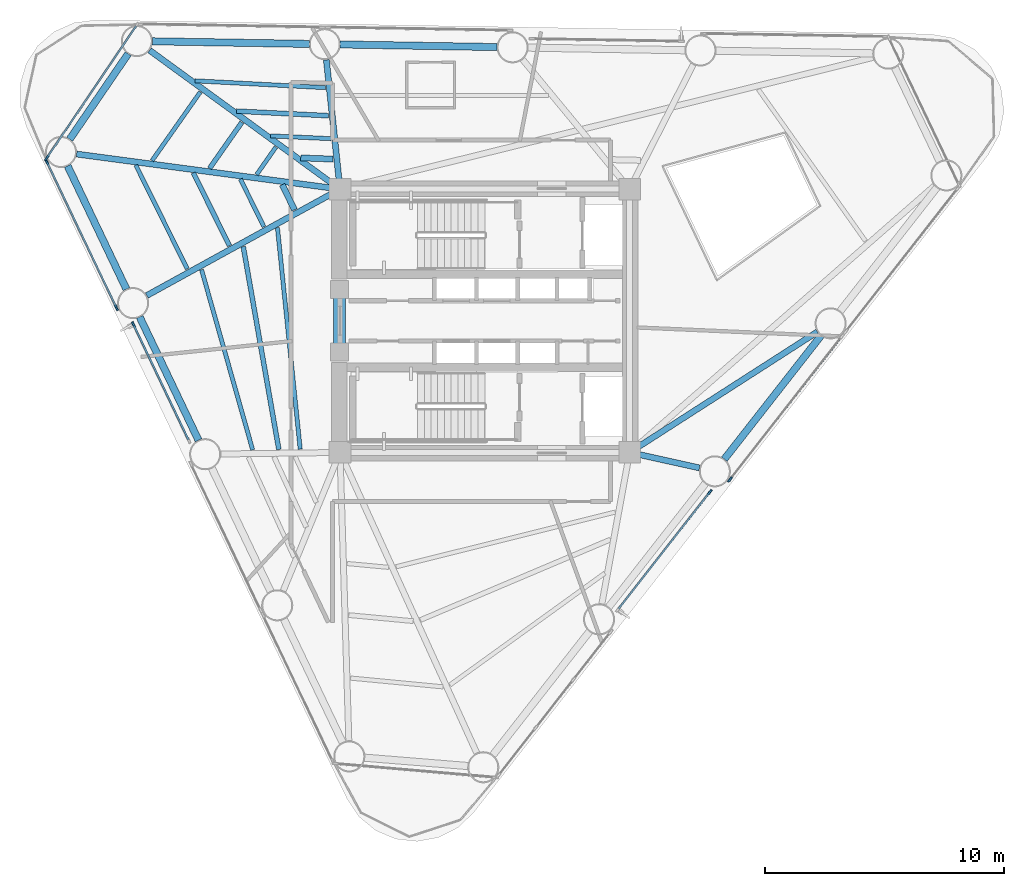
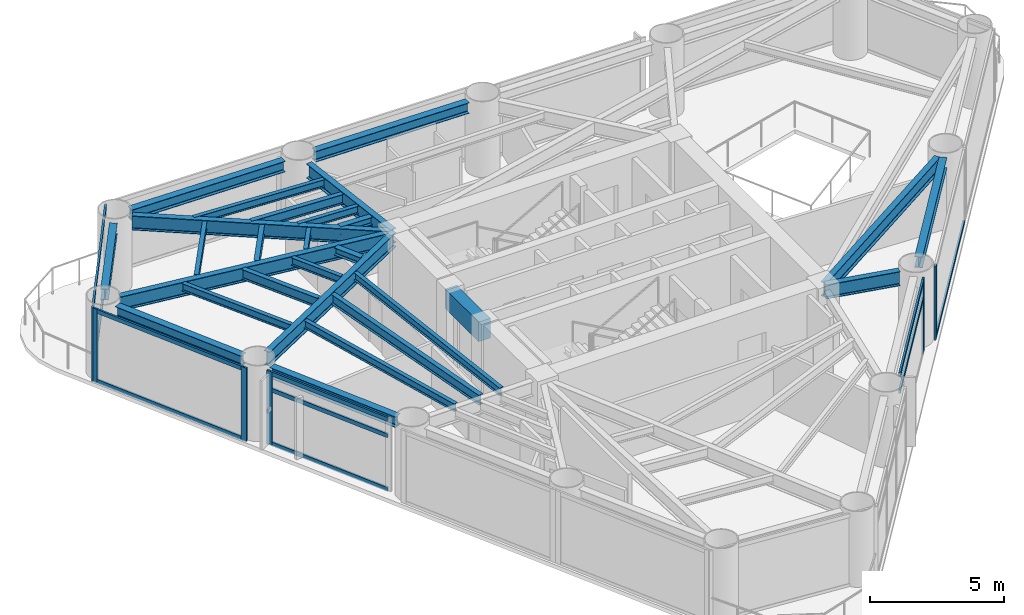
# One storey, part 3 of 10: 27 beams, 16 members, 5 elements without a shape of their own.
"""IFC4 building model written with IfcOpenShell, lengths in metres."""

from ifc_helpers import new_model, si_unit, direction, frame, origin, origin_2d, place, context, subcontext, project, spatial, rectangle, i_section, extrude, source, transform, mapped, material, layer, layer_set, material_profile, profile_set, type_object, element, aggregate, save


model = new_model("IFC4")

# Units and contexts
model_context = context("Model", 3, precision=1e-05, world=origin(), true_north=direction((0.0, 1.0)))
body_context = subcontext(model_context, "Body", "Model", "MODEL_VIEW")
ifc_project = project(units=[si_unit("LENGTHUNIT", "METRE"), si_unit("AREAUNIT", "SQUARE_METRE"), si_unit("VOLUMEUNIT", "CUBIC_METRE"), si_unit("PLANEANGLEUNIT", "RADIAN"), si_unit("MASSUNIT", "GRAM", prefix="KILO")], contexts=[model_context])

# Site, building, storey
site_placement = place(None, origin())
site = spatial("IfcSite", under=ifc_project, at=site_placement, CompositionType="ELEMENT")
building_placement = place(site_placement, origin())
building = spatial("IfcBuilding", under=site, at=building_placement, Name="Yunling Apex Tower", CompositionType="ELEMENT")
storey_placement = place(building_placement, frame((0.0, 0.0, 136.39990234375)))
storey = spatial("IfcBuildingStorey", under=building, at=storey_placement, Name="L33", CompositionType="ELEMENT", Elevation=136.39990234375)

# Beams
ifc_material_1 = material(Name="Concrete C50", Category="concrete")
ifc_material_profile_1 = material_profile(ifc_material_1, rectangle(XDim=0.5, YDim=0.89990234375, at=origin_2d()))
ifc_profile_set_1 = profile_set([ifc_material_profile_1], Name="Concrete C50")
beam_type_1 = type_object("IfcBeamType", Name="BC-CPL-2", PredefinedType="BEAM", material=ifc_profile_set_1)
shared_shape_1 = source(origin(), body_context, "Body", "SweptSolid", [
    extrude(rectangle(XDim=0.5, YDim=0.89990234375, at=origin_2d()), origin(), (0.0, 0.0, 1.0), 2.5),
])
beam_1_placement = place(storey_placement, frame((-6.074951171875, -1.25, 2.820068359375), z_axis=(0.0, 1.0, 0.0), x_axis=(-1.0, 0.0, 0.0)))
element("IfcBeam", 1, at=beam_1_placement, inside=storey, type_object=beam_type_1, Name="L33 Core West Portal Coupling Beam", PredefinedType="BEAM", context=body_context, shape_type="MappedRepresentation", body=[
    mapped(shared_shape_1, transform((0.0, 0.0, 0.0), scale=1.0)),
])
ifc_material_2 = material(Name="Steel Q355B", Category="steel")
ifc_material_profile_2 = material_profile(ifc_material_2, i_section(OverallWidth=0.300048828125, OverallDepth=0.489990234375, WebThickness=0.010986328125, FlangeThickness=0.01806640625, FilletRadius=0.02197265625, at=origin_2d()))
ifc_profile_set_2 = profile_set([ifc_material_profile_2], Name="Steel Q355B")
beam_type_2 = type_object("IfcBeamType", Name="BP-SPN-2", PredefinedType="SPANDREL", material=ifc_profile_set_2)
shared_shape_2 = source(origin(), body_context, "Body", "SweptSolid", [
    extrude(i_section(OverallWidth=0.300048828125, OverallDepth=0.489990234375, WebThickness=0.010986328125, FlangeThickness=0.01806640625, FilletRadius=0.02197265625, at=origin_2d()), origin(), (0.0, 0.0, 1.0), 6.562255859375),
])
beam_2_placement = place(storey_placement, frame((0.5166015625, 11.4375, 3.025146484375), z_axis=(-0.999859222118, 0.0167790329, 0.0), x_axis=(-0.0167790329, -0.999859222118, 0.0)))
element("IfcBeam", 2, at=beam_2_placement, inside=storey, type_object=beam_type_2, Name="L33 Perimeter Spandrel Beam 8", PredefinedType="SPANDREL", context=body_context, shape_type="MappedRepresentation", body=[
    mapped(shared_shape_2, transform((0.0, 0.0, 0.0), scale=1.0)),
])
shared_shape_3 = source(origin(), body_context, "Body", "SweptSolid", [
    extrude(i_section(OverallWidth=0.300048828125, OverallDepth=0.489990234375, WebThickness=0.010986328125, FlangeThickness=0.01806640625, FilletRadius=0.02197265625, at=origin_2d()), origin(), (0.0, 0.0, 1.0), 6.56201171875),
])
for number, where, z_axis, x_axis, name in (
    (3, (10.00732421875, -5.781982421875, 3.025146484375), (0.616233019323, 0.787563880518, 0.0), (-0.787563880518, 0.616233019323, 0.0), "L33 Perimeter Spandrel Beam 3"),
    (4, (-7.33251953125, 11.569091796875, 3.025146484375), (-0.999859211643, 0.016779657083, 0.0), (-0.016779657083, -0.999859211643, 0.0), "L33 Perimeter Spandrel Beam 9"),
):
    element("IfcBeam", number, at=place(storey_placement, frame(where, z_axis=z_axis, x_axis=x_axis)), inside=storey, type_object=beam_type_2, Name=name, PredefinedType="SPANDREL", context=body_context, shape_type="MappedRepresentation", body=[
        mapped(shared_shape_3, transform((0.0, 0.0, 0.0), scale=1.0)),
    ])
shared_shape_4 = source(origin(), body_context, "Body", "SweptSolid", [
    extrude(i_section(OverallWidth=0.300048828125, OverallDepth=0.489990234375, WebThickness=0.010986328125, FlangeThickness=0.01806640625, FilletRadius=0.02197265625, at=origin_2d()), origin(), (0.0, 0.0, 1.0), 4.328125),
])
beam_3_placement = place(storey_placement, frame((-14.901123046875, 11.158447265625, 3.025146484375), z_axis=(-0.564631339119, -0.825343232167, 0.0), x_axis=(0.825343232167, -0.564631339119, 0.0)))
element("IfcBeam", 5, at=beam_3_placement, inside=storey, type_object=beam_type_2, Name="L33 Perimeter Spandrel Beam 10", PredefinedType="SPANDREL", context=body_context, shape_type="MappedRepresentation", body=[
    mapped(shared_shape_4, transform((0.0, 0.0, 0.0), scale=1.0)),
])
shared_shape_5 = source(origin(), body_context, "Body", "SweptSolid", [
    extrude(i_section(OverallWidth=0.300048828125, OverallDepth=0.489990234375, WebThickness=0.010986328125, FlangeThickness=0.01806640625, FilletRadius=0.02197265625, at=origin_2d()), origin(), (0.0, 0.0, 1.0), 5.70751953125),
])
for number, where, z_axis, x_axis, name in (
    (6, (-17.431396484375, 6.473388671875, 3.025146484375), (0.430539541488, -0.902571716383, 0.0), (0.902571716383, 0.430539541488, 0.0), "L33 Perimeter Spandrel Beam 11"),
    (7, (-14.419677734375, 0.1591796875, 3.025146484375), (0.430539541488, -0.902571716383, 0.0), (0.902571716383, 0.430539541488, 0.0), "L33 Perimeter Spandrel Beam 12"),
):
    element("IfcBeam", number, at=place(storey_placement, frame(where, z_axis=z_axis, x_axis=x_axis)), inside=storey, type_object=beam_type_2, Name=name, PredefinedType="SPANDREL", context=body_context, shape_type="MappedRepresentation", body=[
        mapped(shared_shape_5, transform((0.0, 0.0, 0.0), scale=1.0)),
    ])
ifc_material_profile_3 = material_profile(ifc_material_2, i_section(OverallWidth=0.25, OverallDepth=0.64990234375, WebThickness=0.011962890625, FlangeThickness=0.02001953125, FilletRadius=0.02392578125, at=origin_2d()))
ifc_profile_set_3 = profile_set([ifc_material_profile_3], Name="Steel Q355B")
beam_type_3 = type_object("IfcBeamType", Name="BG-PRI-4", PredefinedType="USERDEFINED", material=ifc_profile_set_3)
shared_shape_6 = source(origin(), body_context, "Body", "SweptSolid", [
    extrude(i_section(OverallWidth=0.25, OverallDepth=0.64990234375, WebThickness=0.011962890625, FlangeThickness=0.02001953125, FilletRadius=0.02392578125, at=origin_2d()), origin(), (0.0, 0.0, 1.0), 2.908935546875),
])
beam_4_placement = place(storey_placement, frame((8.96826171875, -6.14697265625, 2.945068359375), z_axis=(-0.976295546219, 0.216441692917, 0.0), x_axis=(-0.216441692917, -0.976295546219, 0.0)))
element("IfcBeam", 8, at=beam_4_placement, inside=storey, type_object=beam_type_3, Name="L33 Radial Primary Girder R03", ObjectType="GIRDER", PredefinedType="USERDEFINED", context=body_context, shape_type="MappedRepresentation", body=[
    mapped(shared_shape_6, transform((0.0, 0.0, 0.0), scale=1.0)),
])
shared_shape_7 = source(origin(), body_context, "Body", "SweptSolid", [
    extrude(i_section(OverallWidth=0.25, OverallDepth=0.64990234375, WebThickness=0.011962890625, FlangeThickness=0.02001953125, FilletRadius=0.02392578125, at=origin_2d()), origin(), (0.0, 0.0, 1.0), 9.24267578125),
])
beam_5_placement = place(storey_placement, frame((13.894287109375, -0.46240234375, 2.945068359375), z_axis=(-0.841433276896, -0.540361027954, 0.0), x_axis=(0.540361027954, -0.841433276896, 0.0)))
element("IfcBeam", 9, at=beam_5_placement, inside=storey, type_object=beam_type_3, Name="L33 Radial Primary Girder R04", ObjectType="GIRDER", PredefinedType="USERDEFINED", context=body_context, shape_type="MappedRepresentation", body=[
    mapped(shared_shape_7, transform((0.0, 0.0, 0.0), scale=1.0)),
])
shared_shape_8 = source(origin(), body_context, "Body", "SweptSolid", [
    extrude(i_section(OverallWidth=0.25, OverallDepth=0.64990234375, WebThickness=0.011962890625, FlangeThickness=0.02001953125, FilletRadius=0.02392578125, at=origin_2d()), origin(), (0.0, 0.0, 1.0), 5.35400390625),
])
beam_6_placement = place(storey_placement, frame((-6.619384765625, 10.904052734375, 2.945068359375), z_axis=(0.104789227106, -0.99449445342, 0.0), x_axis=(0.99449445342, 0.104789227106, 0.0)))
element("IfcBeam", 10, at=beam_6_placement, inside=storey, type_object=beam_type_3, Name="L33 Radial Primary Girder R09", ObjectType="GIRDER", PredefinedType="USERDEFINED", context=body_context, shape_type="MappedRepresentation", body=[
    mapped(shared_shape_8, transform((0.0, 0.0, 0.0), scale=1.0)),
])
shared_shape_9 = source(origin(), body_context, "Body", "SweptSolid", [
    extrude(i_section(OverallWidth=0.25, OverallDepth=0.64990234375, WebThickness=0.011962890625, FlangeThickness=0.02001953125, FilletRadius=0.02392578125, at=origin_2d()), origin(), (0.0, 0.0, 1.0), 9.76708984375),
])
beam_7_placement = place(storey_placement, frame((-14.005859375, 11.30224609375, 2.945068359375), z_axis=(0.807958193343, -0.589239813497, 0.0), x_axis=(0.589239813497, 0.807958193343, 0.0)))
element("IfcBeam", 11, at=beam_7_placement, inside=storey, type_object=beam_type_3, Name="L33 Radial Primary Girder R10", ObjectType="GIRDER", PredefinedType="USERDEFINED", context=body_context, shape_type="MappedRepresentation", body=[
    mapped(shared_shape_9, transform((0.0, 0.0, 0.0), scale=1.0)),
])
shared_shape_10 = source(origin(), body_context, "Body", "SweptSolid", [
    extrude(i_section(OverallWidth=0.25, OverallDepth=0.64990234375, WebThickness=0.011962890625, FlangeThickness=0.02001953125, FilletRadius=0.02392578125, at=origin_2d()), origin(), (0.0, 0.0, 1.0), 11.023681640625),
])
beam_8_placement = place(storey_placement, frame((-17.056396484375, 6.9677734375, 2.945068359375), z_axis=(0.991223838358, -0.132194183952, 0.0), x_axis=(0.132194183952, 0.991223838358, 0.0)))
element("IfcBeam", 12, at=beam_8_placement, inside=storey, type_object=beam_type_3, Name="L33 Radial Primary Girder R11", ObjectType="GIRDER", PredefinedType="USERDEFINED", context=body_context, shape_type="MappedRepresentation", body=[
    mapped(shared_shape_10, transform((0.0, 0.0, 0.0), scale=1.0)),
])
shared_shape_11 = source(origin(), body_context, "Body", "SweptSolid", [
    extrude(i_section(OverallWidth=0.25, OverallDepth=0.64990234375, WebThickness=0.011962890625, FlangeThickness=0.02001953125, FilletRadius=0.02392578125, at=origin_2d()), origin(), (0.0, 0.0, 1.0), 9.132080078125),
])
beam_9_placement = place(storey_placement, frame((-14.120361328125, 1.057861328125, 2.945068359375), z_axis=(0.876057251214, 0.482207105501, 0.0), x_axis=(-0.482207105501, 0.876057251214, 0.0)))
element("IfcBeam", 13, at=beam_9_placement, inside=storey, type_object=beam_type_3, Name="L33 Radial Primary Girder R12", ObjectType="GIRDER", PredefinedType="USERDEFINED", context=body_context, shape_type="MappedRepresentation", body=[
    mapped(shared_shape_11, transform((0.0, 0.0, 0.0), scale=1.0)),
])
ifc_material_profile_4 = material_profile(ifc_material_2, i_section(OverallWidth=0.199951171875, OverallDepth=0.449951171875, WebThickness=0.009033203125, FlangeThickness=0.013916015625, FilletRadius=0.01806640625, at=origin_2d()))
ifc_profile_set_4 = profile_set([ifc_material_profile_4], Name="Steel Q355B")
beam_type_4 = type_object("IfcBeamType", Name="BS-SEC-3", PredefinedType="BEAM", material=ifc_profile_set_4)
shared_shape_12 = source(origin(), body_context, "Body", "SweptSolid", [
    extrude(i_section(OverallWidth=0.199951171875, OverallDepth=0.449951171875, WebThickness=0.009033203125, FlangeThickness=0.013916015625, FilletRadius=0.01806640625, at=origin_2d()), origin(), (0.0, 0.0, 1.0), 3.84619140625),
])
beam_10_placement = place(storey_placement, frame((-6.532470703125, 8.5693359375, 3.045166015625), z_axis=(-0.998745046624, 0.050083249128, 0.0), x_axis=(-0.050083249128, -0.998745046624, 0.0)))
element("IfcBeam", 14, at=beam_10_placement, inside=storey, type_object=beam_type_4, Name="L33 Composite Floor Beam BS-9", PredefinedType="BEAM", context=body_context, shape_type="MappedRepresentation", body=[
    mapped(shared_shape_12, transform((0.0, 0.0, 0.0), scale=1.0)),
])
ifc_material_profile_5 = material_profile(ifc_material_2, i_section(OverallWidth=0.175048828125, OverallDepth=0.35009765625, WebThickness=0.007080078125, FlangeThickness=0.010986328125, FilletRadius=0.013916015625, at=origin_2d()))
ifc_profile_set_5 = profile_set([ifc_material_profile_5], Name="Steel Q355B")
beam_type_5 = type_object("IfcBeamType", Name="BJ-JST-1", PredefinedType="JOIST", material=ifc_profile_set_5)
shared_shape_13 = source(origin(), body_context, "Body", "SweptSolid", [
    extrude(i_section(OverallWidth=0.175048828125, OverallDepth=0.35009765625, WebThickness=0.007080078125, FlangeThickness=0.010986328125, FilletRadius=0.013916015625, at=origin_2d()), origin(), (0.0, 0.0, 1.0), 5.4619140625),
])
beam_11_placement = place(storey_placement, frame((-6.65576171875, 9.740966796875, 3.09521484375), z_axis=(-0.998619804272, 0.052521295825, 0.0), x_axis=(-0.052521295825, -0.998619804272, 0.0)))
element("IfcBeam", 15, at=beam_11_placement, inside=storey, type_object=beam_type_5, Name="L33 Composite Floor Joist BJ1-9", PredefinedType="JOIST", context=body_context, shape_type="MappedRepresentation", body=[
    mapped(shared_shape_13, transform((0.0, 0.0, 0.0), scale=1.0)),
])
shared_shape_14 = source(origin(), body_context, "Body", "SweptSolid", [
    extrude(i_section(OverallWidth=0.175048828125, OverallDepth=0.35009765625, WebThickness=0.007080078125, FlangeThickness=0.010986328125, FilletRadius=0.013916015625, at=origin_2d()), origin(), (0.0, 0.0, 1.0), 2.52490234375),
])
beam_12_placement = place(storey_placement, frame((-6.431396484375, 7.6103515625, 3.09521484375), z_axis=(-0.998935787548, 0.046122579679, 0.0), x_axis=(-0.046122579679, -0.998935787548, 0.0)))
element("IfcBeam", 16, at=beam_12_placement, inside=storey, type_object=beam_type_5, Name="L33 Composite Floor Joist BJ3-9", PredefinedType="JOIST", context=body_context, shape_type="MappedRepresentation", body=[
    mapped(shared_shape_14, transform((0.0, 0.0, 0.0), scale=1.0)),
])
ifc_material_profile_6 = material_profile(ifc_material_2, i_section(OverallWidth=0.25, OverallDepth=0.340087890625, WebThickness=0.009033203125, FlangeThickness=0.013916015625, FilletRadius=0.01806640625, at=origin_2d()))
ifc_profile_set_6 = profile_set([ifc_material_profile_6], Name="Steel Q355B")
beam_type_6 = type_object("IfcBeamType", Name="BJ-JST-2", PredefinedType="JOIST", material=ifc_profile_set_6)
shared_shape_15 = source(origin(), body_context, "Body", "SweptSolid", [
    extrude(i_section(OverallWidth=0.25, OverallDepth=0.340087890625, WebThickness=0.009033203125, FlangeThickness=0.013916015625, FilletRadius=0.01806640625, at=origin_2d()), origin(), (0.0, 0.0, 1.0), 1.35009765625),
])
beam_13_placement = place(storey_placement, frame((-6.341796875, 6.7568359375, 3.10009765625), z_axis=(-0.999299138543, 0.03743302962, 0.0), x_axis=(-0.03743302962, -0.999299138543, 0.0)))
element("IfcBeam", 17, at=beam_13_placement, inside=storey, type_object=beam_type_6, Name="L33 Composite Floor Joist BJ2-9", PredefinedType="JOIST", context=body_context, shape_type="MappedRepresentation", body=[
    mapped(shared_shape_15, transform((0.0, 0.0, 0.0), scale=1.0)),
])
shared_shape_16 = source(origin(), body_context, "Body", "SweptSolid", [
    extrude(i_section(OverallWidth=0.199951171875, OverallDepth=0.449951171875, WebThickness=0.009033203125, FlangeThickness=0.013916015625, FilletRadius=0.01806640625, at=origin_2d()), origin(), (0.0, 0.0, 1.0), 2.349365234375),
])
beam_14_placement = place(storey_placement, frame((-10.152099609375, 8.293701171875, 3.045166015625), z_axis=(-0.574138652216, -0.818758088834, 0.0), x_axis=(0.818758088834, -0.574138652216, 0.0)))
element("IfcBeam", 18, at=beam_14_placement, inside=storey, type_object=beam_type_4, Name="L33 Composite Floor Beam BS-10", PredefinedType="BEAM", context=body_context, shape_type="MappedRepresentation", body=[
    mapped(shared_shape_16, transform((0.0, 0.0, 0.0), scale=1.0)),
])
shared_shape_17 = source(origin(), body_context, "Body", "SweptSolid", [
    extrude(i_section(OverallWidth=0.175048828125, OverallDepth=0.35009765625, WebThickness=0.007080078125, FlangeThickness=0.010986328125, FilletRadius=0.013916015625, at=origin_2d()), origin(), (0.0, 0.0, 1.0), 3.5068359375),
])
beam_15_placement = place(storey_placement, frame((-11.88818359375, 9.559814453125, 3.09521484375), z_axis=(-0.575031163817, -0.818131505712, 0.0), x_axis=(0.818131505712, -0.575031163817, 0.0)))
element("IfcBeam", 19, at=beam_15_placement, inside=storey, type_object=beam_type_5, Name="L33 Composite Floor Joist BJ1-10", PredefinedType="JOIST", context=body_context, shape_type="MappedRepresentation", body=[
    mapped(shared_shape_17, transform((0.0, 0.0, 0.0), scale=1.0)),
])
shared_shape_18 = source(origin(), body_context, "Body", "SweptSolid", [
    extrude(i_section(OverallWidth=0.175048828125, OverallDepth=0.35009765625, WebThickness=0.007080078125, FlangeThickness=0.010986328125, FilletRadius=0.013916015625, at=origin_2d()), origin(), (0.0, 0.0, 1.0), 1.40185546875),
])
beam_16_placement = place(storey_placement, frame((-8.7314453125, 7.257568359375, 3.09521484375), z_axis=(-0.572573774169, -0.819853202186, 0.0), x_axis=(0.819853202186, -0.572573774169, 0.0)))
element("IfcBeam", 20, at=beam_16_placement, inside=storey, type_object=beam_type_5, Name="L33 Composite Floor Joist BJ3-10", PredefinedType="JOIST", context=body_context, shape_type="MappedRepresentation", body=[
    mapped(shared_shape_18, transform((0.0, 0.0, 0.0), scale=1.0)),
])
shared_shape_19 = source(origin(), body_context, "Body", "SweptSolid", [
    extrude(i_section(OverallWidth=0.199951171875, OverallDepth=0.449951171875, WebThickness=0.009033203125, FlangeThickness=0.013916015625, FilletRadius=0.01806640625, at=origin_2d()), origin(), (0.0, 0.0, 1.0), 3.396484375),
])
beam_17_placement = place(storey_placement, frame((-12.177490234375, 6.18310546875, 3.045166015625), z_axis=(0.443500732864, -0.896274009413, 0.0), x_axis=(0.896274009413, 0.443500732864, 0.0)))
element("IfcBeam", 21, at=beam_17_placement, inside=storey, type_object=beam_type_4, Name="L33 Composite Floor Beam BS-11", PredefinedType="BEAM", context=body_context, shape_type="MappedRepresentation", body=[
    mapped(shared_shape_19, transform((0.0, 0.0, 0.0), scale=1.0)),
])
shared_shape_20 = source(origin(), body_context, "Body", "SweptSolid", [
    extrude(i_section(OverallWidth=0.175048828125, OverallDepth=0.35009765625, WebThickness=0.007080078125, FlangeThickness=0.010986328125, FilletRadius=0.013916015625, at=origin_2d()), origin(), (0.0, 0.0, 1.0), 4.837890625),
])
beam_18_placement = place(storey_placement, frame((-14.581298828125, 6.50390625, 3.09521484375), z_axis=(0.444385383115, -0.895835716677, 0.0), x_axis=(0.895835716677, 0.444385383115, 0.0)))
element("IfcBeam", 22, at=beam_18_placement, inside=storey, type_object=beam_type_5, Name="L33 Composite Floor Joist BJ1-11", PredefinedType="JOIST", context=body_context, shape_type="MappedRepresentation", body=[
    mapped(shared_shape_20, transform((0.0, 0.0, 0.0), scale=1.0)),
])
shared_shape_21 = source(origin(), body_context, "Body", "SweptSolid", [
    extrude(i_section(OverallWidth=0.175048828125, OverallDepth=0.35009765625, WebThickness=0.007080078125, FlangeThickness=0.010986328125, FilletRadius=0.013916015625, at=origin_2d()), origin(), (0.0, 0.0, 1.0), 2.217529296875),
])
beam_19_placement = place(storey_placement, frame((-10.2109375, 5.9208984375, 3.09521484375), z_axis=(0.441921230905, -0.897053858848, 0.0), x_axis=(0.897053858848, 0.441921230905, 0.0)))
element("IfcBeam", 23, at=beam_19_placement, inside=storey, type_object=beam_type_5, Name="L33 Composite Floor Joist BJ3-11", PredefinedType="JOIST", context=body_context, shape_type="MappedRepresentation", body=[
    mapped(shared_shape_21, transform((0.0, 0.0, 0.0), scale=1.0)),
])
shared_shape_22 = source(origin(), body_context, "Body", "SweptSolid", [
    extrude(i_section(OverallWidth=0.25, OverallDepth=0.340087890625, WebThickness=0.009033203125, FlangeThickness=0.013916015625, FilletRadius=0.01806640625, at=origin_2d()), origin(), (0.0, 0.0, 1.0), 1.16943359375),
])
beam_20_placement = place(storey_placement, frame((-8.463134765625, 5.6875, 3.10009765625), z_axis=(0.438592252634, -0.898686172103, 0.0), x_axis=(0.898686172103, 0.438592252634, 0.0)))
element("IfcBeam", 24, at=beam_20_placement, inside=storey, type_object=beam_type_6, Name="L33 Composite Floor Joist BJ2-11", PredefinedType="JOIST", context=body_context, shape_type="MappedRepresentation", body=[
    mapped(shared_shape_22, transform((0.0, 0.0, 0.0), scale=1.0)),
])
shared_shape_23 = source(origin(), body_context, "Body", "SweptSolid", [
    extrude(i_section(OverallWidth=0.199951171875, OverallDepth=0.449951171875, WebThickness=0.009033203125, FlangeThickness=0.013916015625, FilletRadius=0.01806640625, at=origin_2d()), origin(), (0.0, 0.0, 1.0), 8.60693359375),
])
beam_21_placement = place(storey_placement, frame((-10.092529296875, 3.10205078125, 3.045166015625), z_axis=(0.172691332669, -0.984975991393, 0.0), x_axis=(0.984975991393, 0.172691332669, 0.0)))
element("IfcBeam", 25, at=beam_21_placement, inside=storey, type_object=beam_type_4, Name="L33 Composite Floor Beam BS-12", PredefinedType="BEAM", context=body_context, shape_type="MappedRepresentation", body=[
    mapped(shared_shape_23, transform((0.0, 0.0, 0.0), scale=1.0)),
])
shared_shape_24 = source(origin(), body_context, "Body", "SweptSolid", [
    extrude(i_section(OverallWidth=0.175048828125, OverallDepth=0.35009765625, WebThickness=0.007080078125, FlangeThickness=0.010986328125, FilletRadius=0.013916015625, at=origin_2d()), origin(), (0.0, 0.0, 1.0), 7.82763671875),
])
beam_22_placement = place(storey_placement, frame((-11.836669921875, 2.136962890625, 3.09521484375), z_axis=(0.273002905438, -0.962013208653, 0.0), x_axis=(0.962013208653, 0.273002905438, 0.0)))
element("IfcBeam", 26, at=beam_22_placement, inside=storey, type_object=beam_type_5, Name="L33 Composite Floor Joist BJ1-12", PredefinedType="JOIST", context=body_context, shape_type="MappedRepresentation", body=[
    mapped(shared_shape_24, transform((0.0, 0.0, 0.0), scale=1.0)),
])
shared_shape_25 = source(origin(), body_context, "Body", "SweptSolid", [
    extrude(i_section(OverallWidth=0.175048828125, OverallDepth=0.35009765625, WebThickness=0.007080078125, FlangeThickness=0.010986328125, FilletRadius=0.013916015625, at=origin_2d()), origin(), (0.0, 0.0, 1.0), 9.303955078125),
])
beam_23_placement = place(storey_placement, frame((-8.663818359375, 3.89306640625, 3.09521484375), z_axis=(0.102153373674, -0.994768660668, 0.0), x_axis=(0.994768660668, 0.102153373674, 0.0)))
element("IfcBeam", 27, at=beam_23_placement, inside=storey, type_object=beam_type_5, Name="L33 Composite Floor Joist BJ3-12", PredefinedType="JOIST", context=body_context, shape_type="MappedRepresentation", body=[
    mapped(shared_shape_25, transform((0.0, 0.0, 0.0), scale=1.0)),
])

# Curtain wall, members
ifc_material_3 = material(Name="Bronze anodised aluminium", Category="aluminium")
ifc_layer = layer(ifc_material_3, 0.239990234375)
ifc_layer_set = layer_set([ifc_layer], Name="Bronze anodised aluminium")
curtain_wall_type = type_object("IfcCurtainWallType", Name="CW-SYS-3", PredefinedType="NOTDEFINED", material=ifc_layer_set)
curtain_wall_1_placement = place(storey_placement, origin())
curtain_wall_1 = element("IfcCurtainWall", 28, at=curtain_wall_1_placement, inside=storey, type_object=curtain_wall_type, Name="CW-L33-F1-B2", PredefinedType="NOTDEFINED")
ifc_material_profile_7 = material_profile(ifc_material_3, rectangle(XDim=0.080078125, YDim=0.18505859375, at=origin_2d()))
ifc_profile_set_7 = profile_set([ifc_material_profile_7], Name="Bronze anodised aluminium")
member_type_1 = type_object("IfcMemberType", Name="CW-TRN-3", PredefinedType="USERDEFINED", material=ifc_profile_set_7)
shared_shape_26 = source(origin(), body_context, "Body", "SweptSolid", [
    extrude(rectangle(XDim=0.080078125, YDim=0.18505859375, at=origin_2d()), origin(), (0.0, 0.0, 1.0), 6.158203125),
])
member_1_placement = place(storey_placement, frame((5.5859375, -12.03369140625, 2.4853515625), z_axis=(0.616202427613, 0.787587816185, 0.0), x_axis=(-0.787587816185, 0.616202427613, 0.0)))
member_1 = element("IfcMember", 29, at=member_1_placement, type_object=member_type_1, Name="CW-SYS-3 transom 1.2", ObjectType="TRANSOM", PredefinedType="USERDEFINED", context=body_context, shape_type="MappedRepresentation", body=[
    mapped(shared_shape_26, transform((0.0, 0.0, 0.0), scale=1.0)),
])
member_2_placement = place(storey_placement, frame((5.5859375, -12.03369140625, 3.22998046875), z_axis=(0.616202427613, 0.787587816185, 0.0), x_axis=(-0.787587816185, 0.616202427613, 0.0)))
member_2 = element("IfcMember", 30, at=member_2_placement, type_object=member_type_1, Name="CW-SYS-3 transom 1.3", ObjectType="TRANSOM", PredefinedType="USERDEFINED", context=body_context, shape_type="MappedRepresentation", body=[
    mapped(shared_shape_26, transform((0.0, 0.0, 0.0), scale=1.0)),
])

# Curtain wall, member
curtain_wall_2_placement = place(storey_placement, origin())
curtain_wall_2 = element("IfcCurtainWall", 31, at=curtain_wall_2_placement, inside=storey, type_object=curtain_wall_type, Name="CW-L33-F1-B3", PredefinedType="NOTDEFINED")
shared_shape_27 = source(origin(), body_context, "Body", "SweptSolid", [
    extrude(rectangle(XDim=0.080078125, YDim=0.18505859375, at=origin_2d()), origin(), (0.0, 0.0, 1.0), 7.5380859375),
])
member_3_placement = place(storey_placement, frame((10.265869140625, -6.603759765625, 0.0400390625), z_axis=(0.616213940974, 0.787578808088, 0.0), x_axis=(-0.787578808088, 0.616213940974, 0.0)))
member_3 = element("IfcMember", 32, at=member_3_placement, type_object=member_type_1, Name="CW-SYS-3 transom 1.1", ObjectType="TRANSOM", PredefinedType="USERDEFINED", context=body_context, shape_type="MappedRepresentation", body=[
    mapped(shared_shape_27, transform((0.0, 0.0, 0.0), scale=1.0)),
])

# Curtain wall, members
curtain_wall_3_placement = place(storey_placement, origin())
curtain_wall_3 = element("IfcCurtainWall", 33, at=curtain_wall_3_placement, inside=storey, type_object=curtain_wall_type, Name="CW-L33-CRN2", PredefinedType="NOTDEFINED")
shared_shape_28 = source(origin(), body_context, "Body", "SweptSolid", [
    extrude(rectangle(XDim=0.080078125, YDim=0.18505859375, at=origin_2d()), origin(), (0.0, 0.0, 1.0), 6.63671875),
])
member_4_placement = place(storey_placement, frame((-14.568603515625, 12.31689453125, 0.0400390625), z_axis=(-0.560543901892, -0.828124709239, 0.0), x_axis=(0.828124709239, -0.560543901892, 0.0)))
member_4 = element("IfcMember", 34, at=member_4_placement, type_object=member_type_1, Name="CW-SYS-3 transom 1.1", ObjectType="TRANSOM", PredefinedType="USERDEFINED", context=body_context, shape_type="MappedRepresentation", body=[
    mapped(shared_shape_28, transform((0.0, 0.0, 0.0), scale=1.0)),
])
member_5_placement = place(storey_placement, frame((-14.568603515625, 12.31689453125, 3.22998046875), z_axis=(-0.560543901892, -0.828124709239, 0.0), x_axis=(0.828124709239, -0.560543901892, 0.0)))
member_5 = element("IfcMember", 35, at=member_5_placement, type_object=member_type_1, Name="CW-SYS-3 transom 1.2", ObjectType="TRANSOM", PredefinedType="USERDEFINED", context=body_context, shape_type="MappedRepresentation", body=[
    mapped(shared_shape_28, transform((0.0, 0.0, 0.0), scale=1.0)),
])

curtain_wall_4_placement = place(storey_placement, origin())
curtain_wall_4 = element("IfcCurtainWall", 36, at=curtain_wall_4_placement, inside=storey, type_object=curtain_wall_type, Name="CW-L33-F3-B1", PredefinedType="NOTDEFINED")
shared_shape_29 = source(origin(), body_context, "Body", "SweptSolid", [
    extrude(rectangle(XDim=0.080078125, YDim=0.18505859375, at=origin_2d()), origin(), (0.0, 0.0, 1.0), 6.683837890625),
])
member_6_placement = place(storey_placement, frame((-18.2822265625, 6.6083984375, 0.0400390625), z_axis=(0.430509150299, -0.902586212785, 0.0), x_axis=(0.902586212785, 0.430509150299, 0.0)))
member_6 = element("IfcMember", 37, at=member_6_placement, type_object=member_type_1, Name="CW-SYS-3 transom 1.1", ObjectType="TRANSOM", PredefinedType="USERDEFINED", context=body_context, shape_type="MappedRepresentation", body=[
    mapped(shared_shape_29, transform((0.0, 0.0, 0.0), scale=1.0)),
])
member_7_placement = place(storey_placement, frame((-18.2822265625, 6.6083984375, 3.22998046875), z_axis=(0.430509150299, -0.902586212785, 0.0), x_axis=(0.902586212785, 0.430509150299, 0.0)))
member_7 = element("IfcMember", 38, at=member_7_placement, type_object=member_type_1, Name="CW-SYS-3 transom 1.2", ObjectType="TRANSOM", PredefinedType="USERDEFINED", context=body_context, shape_type="MappedRepresentation", body=[
    mapped(shared_shape_29, transform((0.0, 0.0, 0.0), scale=1.0)),
])

curtain_wall_5_placement = place(storey_placement, origin())
curtain_wall_5 = element("IfcCurtainWall", 39, at=curtain_wall_5_placement, inside=storey, type_object=curtain_wall_type, Name="CW-L33-F3-B2", PredefinedType="NOTDEFINED")
shared_shape_30 = source(origin(), body_context, "Body", "SweptSolid", [
    extrude(rectangle(XDim=0.080078125, YDim=0.18505859375, at=origin_2d()), origin(), (0.0, 0.0, 1.0), 5.303466796875),
])
member_8_placement = place(storey_placement, frame((-14.66650390625, -0.182373046875, 0.0400390625), z_axis=(0.43050887408, -0.902586344534, 0.0), x_axis=(0.902586344534, 0.43050887408, 0.0)))
member_8 = element("IfcMember", 40, at=member_8_placement, type_object=member_type_1, Name="CW-SYS-3 transom 1.1", ObjectType="TRANSOM", PredefinedType="USERDEFINED", context=body_context, shape_type="MappedRepresentation", body=[
    mapped(shared_shape_30, transform((0.0, 0.0, 0.0), scale=1.0)),
])
member_9_placement = place(storey_placement, frame((-14.66650390625, -0.182373046875, 2.4853515625), z_axis=(0.43050887408, -0.902586344534, 0.0), x_axis=(0.902586344534, 0.43050887408, 0.0)))
member_9 = element("IfcMember", 41, at=member_9_placement, type_object=member_type_1, Name="CW-SYS-3 transom 1.2", ObjectType="TRANSOM", PredefinedType="USERDEFINED", context=body_context, shape_type="MappedRepresentation", body=[
    mapped(shared_shape_30, transform((0.0, 0.0, 0.0), scale=1.0)),
])
member_10_placement = place(storey_placement, frame((-14.66650390625, -0.182373046875, 3.22998046875), z_axis=(0.43050887408, -0.902586344534, 0.0), x_axis=(0.902586344534, 0.43050887408, 0.0)))
member_10 = element("IfcMember", 42, at=member_10_placement, type_object=member_type_1, Name="CW-SYS-3 transom 1.3", ObjectType="TRANSOM", PredefinedType="USERDEFINED", context=body_context, shape_type="MappedRepresentation", body=[
    mapped(shared_shape_30, transform((0.0, 0.0, 0.0), scale=1.0)),
])

# Member
ifc_material_profile_8 = material_profile(ifc_material_3, rectangle(XDim=0.080078125, YDim=0.239990234375, at=origin_2d()))
ifc_profile_set_8 = profile_set([ifc_material_profile_8], Name="Bronze anodised aluminium")
member_type_2 = type_object("IfcMemberType", Name="CW-MUL-3", PredefinedType="MULLION", material=ifc_profile_set_8)
shared_shape_31 = source(origin(), body_context, "Body", "SweptSolid", [
    extrude(rectangle(XDim=0.080078125, YDim=0.239990234375, at=origin_2d()), origin(), (0.0, 0.0, 1.0), 3.369873046875),
])
member_11_placement = place(storey_placement, frame((9.40283203125, -7.1552734375, -0.0498046875), z_axis=(0.0, 0.0, 1.0), x_axis=(-0.787590269126, 0.616199292419, 0.0)))
member_11 = element("IfcMember", 43, at=member_11_placement, type_object=member_type_2, Name="CW-SYS-3 mullion 2", PredefinedType="MULLION", context=body_context, shape_type="MappedRepresentation", body=[
    mapped(shared_shape_31, transform((0.0, 0.0, 0.0), scale=1.0)),
])

aggregate(curtain_wall_1, [member_11, member_1, member_2])

member_12_placement = place(storey_placement, frame((10.24365234375, -6.632080078125, -0.0498046875), z_axis=(0.0, 0.0, 1.0), x_axis=(-0.787583748686, 0.616207626377, 0.0)))
member_12 = element("IfcMember", 44, at=member_12_placement, type_object=member_type_2, Name="CW-SYS-3 mullion 1", PredefinedType="MULLION", context=body_context, shape_type="MappedRepresentation", body=[
    mapped(shared_shape_31, transform((0.0, 0.0, 0.0), scale=1.0)),
])

aggregate(curtain_wall_2, [member_12, member_3])

member_13_placement = place(storey_placement, frame((-18.308837890625, 6.791015625, -0.0498046875), z_axis=(0.0, 0.0, 1.0), x_axis=(0.82813882115, -0.560523052964, 0.0)))
member_13 = element("IfcMember", 45, at=member_13_placement, type_object=member_type_2, Name="CW-SYS-3 mullion 2", PredefinedType="MULLION", context=body_context, shape_type="MappedRepresentation", body=[
    mapped(shared_shape_31, transform((0.0, 0.0, 0.0), scale=1.0)),
])

aggregate(curtain_wall_3, [member_13, member_4, member_5])

member_14_placement = place(storey_placement, frame((-18.297607421875, 6.640869140625, -0.0498046875), z_axis=(0.0, 0.0, 1.0), x_axis=(0.902587765133, 0.4305058957, 0.0)))
member_14 = element("IfcMember", 46, at=member_14_placement, type_object=member_type_2, Name="CW-SYS-3 mullion 1", PredefinedType="MULLION", context=body_context, shape_type="MappedRepresentation", body=[
    mapped(shared_shape_31, transform((0.0, 0.0, 0.0), scale=1.0)),
])

member_15_placement = place(storey_placement, frame((-15.389404296875, 0.543212890625, -0.0498046875), z_axis=(0.0, 0.0, 1.0), x_axis=(0.902587765133, 0.4305058957, 0.0)))
member_15 = element("IfcMember", 47, at=member_15_placement, type_object=member_type_2, Name="CW-SYS-3 mullion 2", PredefinedType="MULLION", context=body_context, shape_type="MappedRepresentation", body=[
    mapped(shared_shape_31, transform((0.0, 0.0, 0.0), scale=1.0)),
])

aggregate(curtain_wall_4, [member_14, member_15, member_6, member_7])

member_16_placement = place(storey_placement, frame((-14.68212890625, -0.14990234375, -0.0498046875), z_axis=(0.0, 0.0, 1.0), x_axis=(0.902579794247, 0.430522606859, 0.0)))
member_16 = element("IfcMember", 48, at=member_16_placement, type_object=member_type_2, Name="CW-SYS-3 mullion 1", PredefinedType="MULLION", context=body_context, shape_type="MappedRepresentation", body=[
    mapped(shared_shape_31, transform((0.0, 0.0, 0.0), scale=1.0)),
])

aggregate(curtain_wall_5, [member_16, member_8, member_9, member_10])

save(model, "model.ifc")
